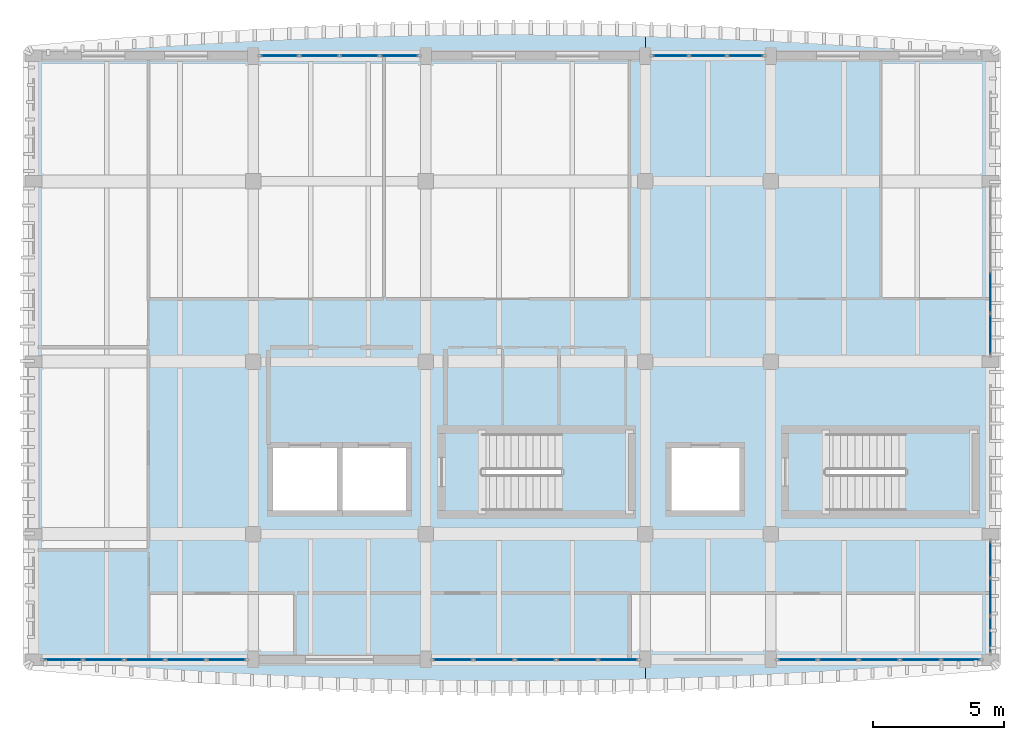
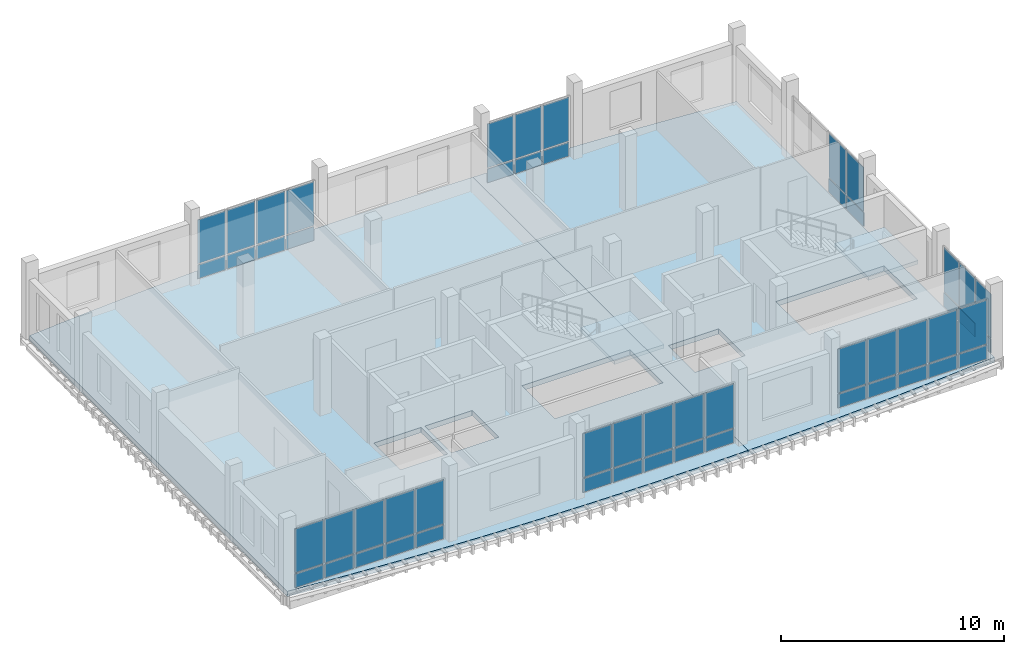
# One storey, part 6 of 16: 54 plates, 4 slabs, 9 elements without a shape of their own.
"""IFC4 building model written with IfcOpenShell, lengths in metres."""

import ifcopenshell
import ifcopenshell.guid

model = None  # the IFC model being written
_history = None  # IfcOwnerHistory: only IFC2X3 demands one
_inside = {}  # id of a spatial element -> (the spatial element, [elements in it])
_under = {}  # id of a project, library or spatial element -> (it, [spatial elements below it])
_declared = {}  # id of a project -> (the project, [libraries it declares])
_typed = {}  # id of a type object -> (the type object, [elements of that type])
_made_of = {}  # id of a material, layer set ... -> (it, [elements and type objects made of it])


def new_model(schema):
    """Start an empty IFC model of exactly this schema.

    Asked for "IFC4X3", IfcOpenShell would pick the latest addendum, in which some entities
    have other attributes; the version numbers below select the first issue.
    IFC2X3 requires an IfcOwnerHistory on every rooted entity: one is made here for all.
    """
    global model, _history
    if schema == "IFC4X3":
        model = ifcopenshell.file(schema_version=(4, 3, 0, 0))
    else:
        model = ifcopenshell.file(schema=schema)
    _inside.clear()
    _under.clear()
    _declared.clear()
    _typed.clear()
    _made_of.clear()
    _history = None
    if model.schema == "IFC2X3":
        org = make("IfcOrganization", Name="unknown")
        user = make(
            "IfcPersonAndOrganization",
            ThePerson=make("IfcPerson", FamilyName="unknown"),
            TheOrganization=org,
        )
        app = make(
            "IfcApplication",
            ApplicationDeveloper=org,
            Version="unknown",
            ApplicationFullName="unknown",
            ApplicationIdentifier="unknown",
        )
        _history = make(
            "IfcOwnerHistory",
            OwningUser=user,
            OwningApplication=app,
            ChangeAction="ADDED",
            CreationDate=0,
        )
    return model


def make(cls, **values):
    """One entity of the class cls with the attributes given. An attribute that is None is left unset."""
    return model.create_entity(
        cls, **{name: value for name, value in values.items() if value is not None}
    )


def rooted(cls, **values):
    """An entity with a GlobalId (a new one), such as an element, a storey or a relation."""
    return make(cls, GlobalId=ifcopenshell.guid.new(), OwnerHistory=_history, **values)


def si_unit(unit_type, name, prefix=None):
    """IfcSIUnit, for example si_unit("LENGTHUNIT", "METRE", prefix="MILLI")."""
    return make("IfcSIUnit", UnitType=unit_type, Prefix=prefix, Name=name)


def assignment(units):
    """IfcUnitAssignment: the units of a project."""
    return None if units is None else make("IfcUnitAssignment", Units=units)


def point(xyz):
    """IfcCartesianPoint."""
    return None if xyz is None else make("IfcCartesianPoint", Coordinates=xyz)


def direction(xyz):
    """IfcDirection."""
    return None if xyz is None else make("IfcDirection", DirectionRatios=xyz)


def frame(location, z_axis=None, x_axis=None):
    """IfcAxis2Placement3D, a coordinate frame: its origin and axes. An axis left out is left unset."""
    return make(
        "IfcAxis2Placement3D",
        Location=point(location),
        Axis=direction(z_axis),
        RefDirection=direction(x_axis),
    )


def frame_2d(location, x_axis=None):
    """IfcAxis2Placement2D, a coordinate frame in the plane: its origin and x axis."""
    return make(
        "IfcAxis2Placement2D", Location=point(location), RefDirection=direction(x_axis)
    )


def origin():
    """The frame at (0, 0, 0) with its axes left unset."""
    return frame((0.0, 0.0, 0.0))


def origin_2d():
    """The frame at (0, 0) in the plane with its x axis left unset."""
    return frame_2d((0.0, 0.0))


def place(relative_to, where):
    """IfcLocalPlacement: puts the frame where relative to a parent placement (None: the world)."""
    return make(
        "IfcLocalPlacement", PlacementRelTo=relative_to, RelativePlacement=where
    )


def context(
    kind, dimensions, precision=None, world=None, true_north=None, identifier=None
):
    """IfcGeometricRepresentationContext, for example the 3D "Model" context."""
    return make(
        "IfcGeometricRepresentationContext",
        ContextIdentifier=identifier,
        ContextType=kind,
        CoordinateSpaceDimension=dimensions,
        Precision=precision,
        WorldCoordinateSystem=world,
        TrueNorth=true_north,
    )


def subcontext(parent, identifier, kind, view, scale=None):
    """IfcGeometricRepresentationSubContext, for example "Body" below "Model"."""
    return make(
        "IfcGeometricRepresentationSubContext",
        ContextIdentifier=identifier,
        ContextType=kind,
        ParentContext=parent,
        TargetScale=scale,
        TargetView=view,
    )


def project(units=None, contexts=None):
    """IfcProject with its units and contexts."""
    return rooted(
        "IfcProject",
        Name="project",
        RepresentationContexts=contexts,
        UnitsInContext=assignment(units),
    )


def spatial(cls, under=None, at=None, **own):
    """A site, building, storey or space (cls), placed at a placement, below another one or the project."""
    s = rooted(cls, ObjectPlacement=at, **own)
    if under is not None:
        _under.setdefault(under.id(), (under, []))[1].append(s)
    return s


def polyline(points):
    """IfcPolyline through the points."""
    return make("IfcPolyline", Points=[point(p) for p in points])


def profile(cls, at=None, kind="AREA", **sizes):
    """A parametric profile (cls). Its sizes go by their IFC names, for example OverallWidth=200.0."""
    return make(cls, ProfileType=kind, Position=at, **sizes)


def rectangle(**sizes):
    """IfcRectangleProfileDef."""
    return profile("IfcRectangleProfileDef", **sizes)


def outline(outer, holes=None, kind="AREA"):
    """IfcArbitraryClosedProfileDef: a profile drawn as a closed curve; with holes, ...WithVoids."""
    if holes is None:
        return make("IfcArbitraryClosedProfileDef", ProfileType=kind, OuterCurve=outer)
    return make(
        "IfcArbitraryProfileDefWithVoids",
        ProfileType=kind,
        OuterCurve=outer,
        InnerCurves=holes,
    )


def extrude(swept, where, along, depth):
    """IfcExtrudedAreaSolid: the profile swept, set in the frame where, extruded along a direction by depth."""
    return make(
        "IfcExtrudedAreaSolid",
        SweptArea=swept,
        Position=where,
        ExtrudedDirection=direction(along),
        Depth=depth,
    )


def shape(context_of_items, identifier, shape_type, items):
    """IfcShapeRepresentation: the items that make up one representation, for example the "Body"."""
    return make(
        "IfcShapeRepresentation",
        ContextOfItems=context_of_items,
        RepresentationIdentifier=identifier,
        RepresentationType=shape_type,
        Items=items,
    )


def material(Name=None, Category=None):
    """IfcMaterial."""
    return make("IfcMaterial", Name=Name, Category=Category)


def layer(
    of_material, thickness, ventilated=None, Name=None, Category=None, Priority=None
):
    """IfcMaterialLayer: one layer of a wall or slab, of a material (None: an air gap)."""
    return make(
        "IfcMaterialLayer",
        Material=of_material,
        LayerThickness=thickness,
        IsVentilated=ventilated,
        Name=Name,
        Category=Category,
        Priority=Priority,
    )


def layer_set(layers, Name=None):
    """IfcMaterialLayerSet."""
    return make("IfcMaterialLayerSet", MaterialLayers=layers, LayerSetName=Name)


def made_of(thing, what):
    """Note that an element or type object is made of a material, layer set ...; save() writes the relation."""
    if what is not None:
        _made_of.setdefault(what.id(), (what, []))[1].append(thing)
    return thing


def type_object(cls, material=None, **own):
    """A type object (cls), such as IfcWallType, which elements share."""
    return made_of(rooted(cls, **own), material)


def element(
    cls,
    number,
    at=None,
    inside=None,
    cuts=None,
    type_object=None,
    material=None,
    context=None,
    identifier="Body",
    shape_type=None,
    held_by="IfcProductDefinitionShape",
    body=None,
    shapes=None,
    **own,
):
    """One element of the class cls, such as IfcWall. Its Tag is "e" and its number.

    at: its placement. inside: the storey or other place that contains it. cuts: it is an
    opening in that element (IfcRelVoidsElement). A single representation is given by context,
    identifier, shape_type and body (its items); several are given by shapes. held_by: the class
    of the entity that holds the representations. save() writes the other relations.
    """
    e = rooted(cls, Tag="e%d" % number, ObjectPlacement=at, **own)
    if body is not None:
        shapes = [shape(context, identifier, shape_type, body)]
    if shapes is not None:
        e.Representation = make(held_by, Representations=shapes)
    if inside is not None:
        _inside.setdefault(inside.id(), (inside, []))[1].append(e)
    if cuts is not None:
        rooted(
            "IfcRelVoidsElement", RelatingBuildingElement=cuts, RelatedOpeningElement=e
        )
    if type_object is not None:
        _typed.setdefault(type_object.id(), (type_object, []))[1].append(e)
    return made_of(e, material)


def aggregate(whole, parts):
    """IfcRelAggregates: a whole, such as a stair, and the parts it consists of."""
    return rooted("IfcRelAggregates", RelatingObject=whole, RelatedObjects=parts)


def save(model, path):
    """Write the relations noted so far, then the file.

    IfcRelAggregates (storeys below a building ...), IfcRelContainedInSpatialStructure (elements
    in a storey), IfcRelDefinesByType, IfcRelAssociatesMaterial and IfcRelDeclares: one each for
    every whole, place, type object, material and project.
    """
    for whole, parts in _under.values():
        aggregate(whole, parts)
    for where, things in _inside.values():
        rooted(
            "IfcRelContainedInSpatialStructure",
            RelatedElements=things,
            RelatingStructure=where,
        )
    for kind, things in _typed.values():
        rooted("IfcRelDefinesByType", RelatedObjects=things, RelatingType=kind)
    for what, things in _made_of.values():
        rooted("IfcRelAssociatesMaterial", RelatedObjects=things, RelatingMaterial=what)
    for by, libraries in _declared.values():
        rooted("IfcRelDeclares", RelatingContext=by, RelatedDefinitions=libraries)
    model.write(path)


model = new_model("IFC4")

# Units and contexts
model_context = context("Model", 3, precision=1e-05, world=origin(), true_north=direction((0.0, 1.0)))
body_context = subcontext(model_context, "Body", "Model", "MODEL_VIEW")
ifc_project = project(units=[si_unit("LENGTHUNIT", "METRE"), si_unit("AREAUNIT", "SQUARE_METRE"), si_unit("VOLUMEUNIT", "CUBIC_METRE"), si_unit("PLANEANGLEUNIT", "RADIAN"), si_unit("MASSUNIT", "GRAM", prefix="KILO")], contexts=[model_context])

# Site, building, storey
site_placement = place(None, origin())
site = spatial("IfcSite", under=ifc_project, at=site_placement, CompositionType="ELEMENT")
building_placement = place(site_placement, origin())
building = spatial("IfcBuilding", under=site, at=building_placement, Name="Dornvale Research Institute", CompositionType="ELEMENT")
storey_placement = place(building_placement, frame((0.0, 0.0, 38.39990234375)))
storey = spatial("IfcBuildingStorey", under=building, at=storey_placement, Name="L08", CompositionType="ELEMENT", Elevation=38.39990234375)

# Curtain wall, plates
ifc_material_1 = material(Name="Low-E Argon Double Insulating Glazing Unit", Category="glass")
curtain_wall_type_1 = type_object("IfcCurtainWallType", Name="UnitisedCurtainWall_V5_6150x3350", PredefinedType="USERDEFINED", material=ifc_material_1)
curtain_wall_1_placement = place(storey_placement, origin())
curtain_wall_1 = element("IfcCurtainWall", 1, at=curtain_wall_1_placement, inside=storey, type_object=curtain_wall_type_1, Name="L08 V5 unitised curtain wall CW-34 #188", ObjectType="UNITISED CURTAIN WALL", PredefinedType="USERDEFINED")
ifc_material_2 = material(Name="Insulated Ceramic-Frit Spandrel Glass Panel", Category="glass")
ifc_layer_1 = layer(ifc_material_2, 0.0419921875)
ifc_layer_set_1 = layer_set([ifc_layer_1], Name="Insulated Ceramic-Frit Spandrel Glass Panel")
plate_type_1 = type_object("IfcPlateType", Name="CurtainPanel_Spandrel_42", PredefinedType="CURTAIN_PANEL", material=ifc_layer_set_1)
plate_1_placement = place(storey_placement, frame((14.2099609375, 122.10009765625, 0.065185546875), z_axis=(0.0, 0.0, 1.0), x_axis=(1.0, 0.0, 0.0)))
plate_1 = element("IfcPlate", 2, at=plate_1_placement, type_object=plate_type_1, Name="CW-34 panel 1.1", PredefinedType="CURTAIN_PANEL", context=body_context, shape_type="SweptSolid", body=[
    extrude(rectangle(XDim=1.43994140625, YDim=0.0419921875, at=origin_2d()), origin(), (0.0, 0.0, 1.0), 0.75244140625),
])
plate_2_placement = place(storey_placement, frame((15.731201171875, 122.10009765625, 0.065185546875), z_axis=(0.0, 0.0, 1.0), x_axis=(1.0, 0.0, 0.0)))
plate_2 = element("IfcPlate", 3, at=plate_2_placement, type_object=plate_type_1, Name="CW-34 panel 2.1", PredefinedType="CURTAIN_PANEL", context=body_context, shape_type="SweptSolid", body=[
    extrude(rectangle(XDim=1.472412109375, YDim=0.0419921875, at=origin_2d()), origin(), (0.0, 0.0, 1.0), 0.75244140625),
])
plate_3_placement = place(storey_placement, frame((17.268798828125, 122.10009765625, 0.065185546875), z_axis=(0.0, 0.0, 1.0), x_axis=(1.0, 0.0, 0.0)))
plate_3 = element("IfcPlate", 4, at=plate_3_placement, type_object=plate_type_1, Name="CW-34 panel 3.1", PredefinedType="CURTAIN_PANEL", context=body_context, shape_type="SweptSolid", body=[
    extrude(rectangle(XDim=1.472412109375, YDim=0.0419921875, at=origin_2d()), origin(), (0.0, 0.0, 1.0), 0.75244140625),
])
plate_4_placement = place(storey_placement, frame((18.7900390625, 122.10009765625, 0.065185546875), z_axis=(0.0, 0.0, 1.0), x_axis=(1.0, 0.0, 0.0)))
plate_4 = element("IfcPlate", 5, at=plate_4_placement, type_object=plate_type_1, Name="CW-34 panel 4.1", PredefinedType="CURTAIN_PANEL", context=body_context, shape_type="SweptSolid", body=[
    extrude(rectangle(XDim=1.43994140625, YDim=0.0419921875, at=origin_2d()), origin(), (0.0, 0.0, 1.0), 0.75244140625),
])

ifc_material_3 = material(Name="Low-E Argon Double Insulating Glazing Unit", Category="glass")
curtain_wall_type_2 = type_object("IfcCurtainWallType", Name="UnitisedCurtainWall_V5_4350x3350", PredefinedType="USERDEFINED", material=ifc_material_3)
curtain_wall_2_placement = place(storey_placement, origin())
curtain_wall_2 = element("IfcCurtainWall", 6, at=curtain_wall_2_placement, inside=storey, type_object=curtain_wall_type_2, Name="L08 V5 unitised curtain wall CW-35 #189", ObjectType="UNITISED CURTAIN WALL", PredefinedType="USERDEFINED")
plate_5_placement = place(storey_placement, frame((29.166259765625, 122.10009765625, 0.065185546875), z_axis=(0.0, 0.0, 1.0), x_axis=(1.0, 0.0, 0.0)))
plate_5 = element("IfcPlate", 7, at=plate_5_placement, type_object=plate_type_1, Name="CW-35 panel 1.1", PredefinedType="CURTAIN_PANEL", context=body_context, shape_type="SweptSolid", body=[
    extrude(rectangle(XDim=1.3525390625, YDim=0.0419921875, at=origin_2d()), origin(), (0.0, 0.0, 1.0), 0.75244140625),
])
plate_6_placement = place(storey_placement, frame((30.60009765625, 122.10009765625, 0.065185546875), z_axis=(0.0, 0.0, 1.0), x_axis=(1.0, 0.0, 0.0)))
plate_6 = element("IfcPlate", 8, at=plate_6_placement, type_object=plate_type_1, Name="CW-35 panel 2.1", PredefinedType="CURTAIN_PANEL", context=body_context, shape_type="SweptSolid", body=[
    extrude(rectangle(XDim=1.385009765625, YDim=0.0419921875, at=origin_2d()), origin(), (0.0, 0.0, 1.0), 0.75244140625),
])
plate_7_placement = place(storey_placement, frame((32.03369140625, 122.10009765625, 0.065185546875), z_axis=(0.0, 0.0, 1.0), x_axis=(1.0, 0.0, 0.0)))
plate_7 = element("IfcPlate", 9, at=plate_7_placement, type_object=plate_type_1, Name="CW-35 panel 3.1", PredefinedType="CURTAIN_PANEL", context=body_context, shape_type="SweptSolid", body=[
    extrude(rectangle(XDim=1.3525390625, YDim=0.0419921875, at=origin_2d()), origin(), (0.0, 0.0, 1.0), 0.75244140625),
])

ifc_material_4 = material(Name="Low-E Argon Double Insulating Glazing Unit", Category="glass")
curtain_wall_type_3 = type_object("IfcCurtainWallType", Name="UnitisedCurtainWall_V5_6450x3350", PredefinedType="USERDEFINED", material=ifc_material_4)
curtain_wall_3_placement = place(storey_placement, origin())
curtain_wall_3 = element("IfcCurtainWall", 10, at=curtain_wall_3_placement, inside=storey, type_object=curtain_wall_type_3, Name="L08 V5 unitised curtain wall CW-36 #190", ObjectType="UNITISED CURTAIN WALL", PredefinedType="USERDEFINED")
plate_8_placement = place(storey_placement, frame((41.39990234375, 113.043701171875, 0.065185546875), z_axis=(0.0, 0.0, 1.0), x_axis=(0.0, -1.0, 0.0)))
plate_8 = element("IfcPlate", 11, at=plate_8_placement, type_object=plate_type_1, Name="CW-36 panel 3.1", PredefinedType="CURTAIN_PANEL", context=body_context, shape_type="SweptSolid", body=[
    extrude(rectangle(XDim=1.547607421875, YDim=0.0419921875, at=origin_2d()), origin(), (0.0, 0.0, 1.0), 0.75244140625),
])
plate_9_placement = place(storey_placement, frame((41.39990234375, 111.447509765625, 0.065185546875), z_axis=(0.0, 0.0, 1.0), x_axis=(0.0, -1.0, 0.0)))
plate_9 = element("IfcPlate", 12, at=plate_9_placement, type_object=plate_type_1, Name="CW-36 panel 4.1", PredefinedType="CURTAIN_PANEL", context=body_context, shape_type="SweptSolid", body=[
    extrude(rectangle(XDim=1.514892578125, YDim=0.0419921875, at=origin_2d()), origin(), (0.0, 0.0, 1.0), 0.75244140625),
])

curtain_wall_4_placement = place(storey_placement, origin())
curtain_wall_4 = element("IfcCurtainWall", 13, at=curtain_wall_4_placement, inside=storey, type_object=curtain_wall_type_2, Name="L08 V5 unitised curtain wall CW-35 #191", ObjectType="UNITISED CURTAIN WALL", PredefinedType="USERDEFINED")
plate_10_placement = place(storey_placement, frame((41.39990234375, 102.833740234375, 0.065185546875), z_axis=(0.0, 0.0, 1.0), x_axis=(0.0, -1.0, 0.0)))
plate_10 = element("IfcPlate", 14, at=plate_10_placement, type_object=plate_type_1, Name="CW-35 panel 1.1", PredefinedType="CURTAIN_PANEL", context=body_context, shape_type="SweptSolid", body=[
    extrude(rectangle(XDim=1.3525390625, YDim=0.0419921875, at=origin_2d()), origin(), (0.0, 0.0, 1.0), 0.75244140625),
])
plate_11_placement = place(storey_placement, frame((41.39990234375, 101.39990234375, 0.065185546875), z_axis=(0.0, 0.0, 1.0), x_axis=(0.0, -1.0, 0.0)))
plate_11 = element("IfcPlate", 15, at=plate_11_placement, type_object=plate_type_1, Name="CW-35 panel 2.1", PredefinedType="CURTAIN_PANEL", context=body_context, shape_type="SweptSolid", body=[
    extrude(rectangle(XDim=1.385009765625, YDim=0.0419921875, at=origin_2d()), origin(), (0.0, 0.0, 1.0), 0.75244140625),
])
plate_12_placement = place(storey_placement, frame((41.39990234375, 99.96630859375, 0.065185546875), z_axis=(0.0, 0.0, 1.0), x_axis=(0.0, -1.0, 0.0)))
plate_12 = element("IfcPlate", 16, at=plate_12_placement, type_object=plate_type_1, Name="CW-35 panel 3.1", PredefinedType="CURTAIN_PANEL", context=body_context, shape_type="SweptSolid", body=[
    extrude(rectangle(XDim=1.3525390625, YDim=0.0419921875, at=origin_2d()), origin(), (0.0, 0.0, 1.0), 0.75244140625),
])

ifc_material_5 = material(Name="Low-E Argon Double Insulating Glazing Unit", Category="glass")
curtain_wall_type_4 = type_object("IfcCurtainWallType", Name="UnitisedCurtainWall_V5_7850x3350", PredefinedType="USERDEFINED", material=ifc_material_5)
curtain_wall_5_placement = place(storey_placement, origin())
curtain_wall_5 = element("IfcCurtainWall", 17, at=curtain_wall_5_placement, inside=storey, type_object=curtain_wall_type_4, Name="L08 V5 unitised curtain wall CW-37 #192", ObjectType="UNITISED CURTAIN WALL", PredefinedType="USERDEFINED")
plate_13_placement = place(storey_placement, frame((40.273681640625, 99.0, 0.065185546875), z_axis=(0.0, 0.0, 1.0), x_axis=(-1.0, 0.0, 0.0)))
plate_13 = element("IfcPlate", 18, at=plate_13_placement, type_object=plate_type_1, Name="CW-37 panel 1.1", PredefinedType="CURTAIN_PANEL", context=body_context, shape_type="SweptSolid", body=[
    extrude(rectangle(XDim=1.472412109375, YDim=0.0419921875, at=origin_2d()), origin(), (0.0, 0.0, 1.0), 0.75244140625),
])
plate_14_placement = place(storey_placement, frame((38.719970703125, 99.0, 0.065185546875), z_axis=(0.0, 0.0, 1.0), x_axis=(-1.0, 0.0, 0.0)))
plate_14 = element("IfcPlate", 19, at=plate_14_placement, type_object=plate_type_1, Name="CW-37 panel 2.1", PredefinedType="CURTAIN_PANEL", context=body_context, shape_type="SweptSolid", body=[
    extrude(rectangle(XDim=1.5048828125, YDim=0.0419921875, at=origin_2d()), origin(), (0.0, 0.0, 1.0), 0.75244140625),
])
plate_15_placement = place(storey_placement, frame((37.14990234375, 99.0, 0.065185546875), z_axis=(0.0, 0.0, 1.0), x_axis=(-1.0, 0.0, 0.0)))
plate_15 = element("IfcPlate", 20, at=plate_15_placement, type_object=plate_type_1, Name="CW-37 panel 3.1", PredefinedType="CURTAIN_PANEL", context=body_context, shape_type="SweptSolid", body=[
    extrude(rectangle(XDim=1.5048828125, YDim=0.0419921875, at=origin_2d()), origin(), (0.0, 0.0, 1.0), 0.75244140625),
])
plate_16_placement = place(storey_placement, frame((35.580078125, 99.0, 0.065185546875), z_axis=(0.0, 0.0, 1.0), x_axis=(-1.0, 0.0, 0.0)))
plate_16 = element("IfcPlate", 21, at=plate_16_placement, type_object=plate_type_1, Name="CW-37 panel 4.1", PredefinedType="CURTAIN_PANEL", context=body_context, shape_type="SweptSolid", body=[
    extrude(rectangle(XDim=1.5048828125, YDim=0.0419921875, at=origin_2d()), origin(), (0.0, 0.0, 1.0), 0.75244140625),
])
plate_17_placement = place(storey_placement, frame((34.0263671875, 99.0, 0.065185546875), z_axis=(0.0, 0.0, 1.0), x_axis=(-1.0, 0.0, 0.0)))
plate_17 = element("IfcPlate", 22, at=plate_17_placement, type_object=plate_type_1, Name="CW-37 panel 5.1", PredefinedType="CURTAIN_PANEL", context=body_context, shape_type="SweptSolid", body=[
    extrude(rectangle(XDim=1.472412109375, YDim=0.0419921875, at=origin_2d()), origin(), (0.0, 0.0, 1.0), 0.75244140625),
])

ifc_material_6 = material(Name="Low-E Argon Double Insulating Glazing Unit", Category="glass")
curtain_wall_type_5 = type_object("IfcCurtainWallType", Name="UnitisedCurtainWall_V5_7950x3350", PredefinedType="USERDEFINED", material=ifc_material_6)
curtain_wall_6_placement = place(storey_placement, origin())
curtain_wall_6 = element("IfcCurtainWall", 23, at=curtain_wall_6_placement, inside=storey, type_object=curtain_wall_type_5, Name="L08 V5 unitised curtain wall CW-38 #193", ObjectType="UNITISED CURTAIN WALL", PredefinedType="USERDEFINED")
plate_18_placement = place(storey_placement, frame((27.163818359375, 99.0, 0.065185546875), z_axis=(0.0, 0.0, 1.0), x_axis=(-1.0, 0.0, 0.0)))
plate_18 = element("IfcPlate", 24, at=plate_18_placement, type_object=plate_type_1, Name="CW-38 panel 1.1", PredefinedType="CURTAIN_PANEL", context=body_context, shape_type="SweptSolid", body=[
    extrude(rectangle(XDim=1.492431640625, YDim=0.0419921875, at=origin_2d()), origin(), (0.0, 0.0, 1.0), 0.75244140625),
])
plate_19_placement = place(storey_placement, frame((25.590087890625, 99.0, 0.065185546875), z_axis=(0.0, 0.0, 1.0), x_axis=(-1.0, 0.0, 0.0)))
plate_19 = element("IfcPlate", 25, at=plate_19_placement, type_object=plate_type_1, Name="CW-38 panel 2.1", PredefinedType="CURTAIN_PANEL", context=body_context, shape_type="SweptSolid", body=[
    extrude(rectangle(XDim=1.52490234375, YDim=0.0419921875, at=origin_2d()), origin(), (0.0, 0.0, 1.0), 0.75244140625),
])
plate_20_placement = place(storey_placement, frame((24.0, 99.0, 0.065185546875), z_axis=(0.0, 0.0, 1.0), x_axis=(-1.0, 0.0, 0.0)))
plate_20 = element("IfcPlate", 26, at=plate_20_placement, type_object=plate_type_1, Name="CW-38 panel 3.1", PredefinedType="CURTAIN_PANEL", context=body_context, shape_type="SweptSolid", body=[
    extrude(rectangle(XDim=1.52490234375, YDim=0.0419921875, at=origin_2d()), origin(), (0.0, 0.0, 1.0), 0.75244140625),
])
plate_21_placement = place(storey_placement, frame((22.409912109375, 99.0, 0.065185546875), z_axis=(0.0, 0.0, 1.0), x_axis=(-1.0, 0.0, 0.0)))
plate_21 = element("IfcPlate", 27, at=plate_21_placement, type_object=plate_type_1, Name="CW-38 panel 4.1", PredefinedType="CURTAIN_PANEL", context=body_context, shape_type="SweptSolid", body=[
    extrude(rectangle(XDim=1.52490234375, YDim=0.0419921875, at=origin_2d()), origin(), (0.0, 0.0, 1.0), 0.75244140625),
])
plate_22_placement = place(storey_placement, frame((20.836181640625, 99.0, 0.065185546875), z_axis=(0.0, 0.0, 1.0), x_axis=(-1.0, 0.0, 0.0)))
plate_22 = element("IfcPlate", 28, at=plate_22_placement, type_object=plate_type_1, Name="CW-38 panel 5.1", PredefinedType="CURTAIN_PANEL", context=body_context, shape_type="SweptSolid", body=[
    extrude(rectangle(XDim=1.492431640625, YDim=0.0419921875, at=origin_2d()), origin(), (0.0, 0.0, 1.0), 0.75244140625),
])

curtain_wall_7_placement = place(storey_placement, origin())
curtain_wall_7 = element("IfcCurtainWall", 29, at=curtain_wall_7_placement, inside=storey, type_object=curtain_wall_type_4, Name="L08 V5 unitised curtain wall CW-37 #194", ObjectType="UNITISED CURTAIN WALL", PredefinedType="USERDEFINED")
plate_23_placement = place(storey_placement, frame((12.173828125, 99.0, 0.065185546875), z_axis=(0.0, 0.0, 1.0), x_axis=(-1.0, 0.0, 0.0)))
plate_23 = element("IfcPlate", 30, at=plate_23_placement, type_object=plate_type_1, Name="CW-37 panel 1.1", PredefinedType="CURTAIN_PANEL", context=body_context, shape_type="SweptSolid", body=[
    extrude(rectangle(XDim=1.472412109375, YDim=0.0419921875, at=origin_2d()), origin(), (0.0, 0.0, 1.0), 0.75244140625),
])
plate_24_placement = place(storey_placement, frame((10.6201171875, 99.0, 0.065185546875), z_axis=(0.0, 0.0, 1.0), x_axis=(-1.0, 0.0, 0.0)))
plate_24 = element("IfcPlate", 31, at=plate_24_placement, type_object=plate_type_1, Name="CW-37 panel 2.1", PredefinedType="CURTAIN_PANEL", context=body_context, shape_type="SweptSolid", body=[
    extrude(rectangle(XDim=1.5048828125, YDim=0.0419921875, at=origin_2d()), origin(), (0.0, 0.0, 1.0), 0.75244140625),
])
plate_25_placement = place(storey_placement, frame((9.050048828125, 99.0, 0.065185546875), z_axis=(0.0, 0.0, 1.0), x_axis=(-1.0, 0.0, 0.0)))
plate_25 = element("IfcPlate", 32, at=plate_25_placement, type_object=plate_type_1, Name="CW-37 panel 3.1", PredefinedType="CURTAIN_PANEL", context=body_context, shape_type="SweptSolid", body=[
    extrude(rectangle(XDim=1.5048828125, YDim=0.0419921875, at=origin_2d()), origin(), (0.0, 0.0, 1.0), 0.75244140625),
])
plate_26_placement = place(storey_placement, frame((7.47998046875, 99.0, 0.065185546875), z_axis=(0.0, 0.0, 1.0), x_axis=(-1.0, 0.0, 0.0)))
plate_26 = element("IfcPlate", 33, at=plate_26_placement, type_object=plate_type_1, Name="CW-37 panel 4.1", PredefinedType="CURTAIN_PANEL", context=body_context, shape_type="SweptSolid", body=[
    extrude(rectangle(XDim=1.5048828125, YDim=0.0419921875, at=origin_2d()), origin(), (0.0, 0.0, 1.0), 0.75244140625),
])
plate_27_placement = place(storey_placement, frame((5.92626953125, 99.0, 0.065185546875), z_axis=(0.0, 0.0, 1.0), x_axis=(-1.0, 0.0, 0.0)))
plate_27 = element("IfcPlate", 34, at=plate_27_placement, type_object=plate_type_1, Name="CW-37 panel 5.1", PredefinedType="CURTAIN_PANEL", context=body_context, shape_type="SweptSolid", body=[
    extrude(rectangle(XDim=1.472412109375, YDim=0.0419921875, at=origin_2d()), origin(), (0.0, 0.0, 1.0), 0.75244140625),
])

# Plate
ifc_material_7 = material(Name="Low-E Argon Double Insulating Glazing Unit", Category="glass")
ifc_layer_2 = layer(ifc_material_7, 0.028076171875)
ifc_layer_set_2 = layer_set([ifc_layer_2], Name="Low-E Argon Double Insulating Glazing Unit")
plate_type_2 = type_object("IfcPlateType", Name="CurtainPanel_Vision_28", PredefinedType="CURTAIN_PANEL", material=ifc_layer_set_2)
plate_28_placement = place(storey_placement, frame((14.2099609375, 122.10009765625, 0.88232421875), z_axis=(0.0, 0.0, 1.0), x_axis=(1.0, 0.0, 0.0)))
plate_28 = element("IfcPlate", 35, at=plate_28_placement, type_object=plate_type_2, Name="CW-34 panel 1.2", PredefinedType="CURTAIN_PANEL", context=body_context, shape_type="SweptSolid", body=[
    extrude(rectangle(XDim=1.43994140625, YDim=0.028076171875, at=origin_2d()), origin(), (0.0, 0.0, 1.0), 2.402587890625),
])

plate_29_placement = place(storey_placement, frame((15.731201171875, 122.10009765625, 0.88232421875), z_axis=(0.0, 0.0, 1.0), x_axis=(1.0, 0.0, 0.0)))
plate_29 = element("IfcPlate", 36, at=plate_29_placement, type_object=plate_type_2, Name="CW-34 panel 2.2", PredefinedType="CURTAIN_PANEL", context=body_context, shape_type="SweptSolid", body=[
    extrude(rectangle(XDim=1.472412109375, YDim=0.028076171875, at=origin_2d()), origin(), (0.0, 0.0, 1.0), 2.402587890625),
])

plate_30_placement = place(storey_placement, frame((17.268798828125, 122.10009765625, 0.88232421875), z_axis=(0.0, 0.0, 1.0), x_axis=(1.0, 0.0, 0.0)))
plate_30 = element("IfcPlate", 37, at=plate_30_placement, type_object=plate_type_2, Name="CW-34 panel 3.2", PredefinedType="CURTAIN_PANEL", context=body_context, shape_type="SweptSolid", body=[
    extrude(rectangle(XDim=1.472412109375, YDim=0.028076171875, at=origin_2d()), origin(), (0.0, 0.0, 1.0), 2.402587890625),
])

plate_31_placement = place(storey_placement, frame((18.7900390625, 122.10009765625, 0.88232421875), z_axis=(0.0, 0.0, 1.0), x_axis=(1.0, 0.0, 0.0)))
plate_31 = element("IfcPlate", 38, at=plate_31_placement, type_object=plate_type_2, Name="CW-34 panel 4.2", PredefinedType="CURTAIN_PANEL", context=body_context, shape_type="SweptSolid", body=[
    extrude(rectangle(XDim=1.43994140625, YDim=0.028076171875, at=origin_2d()), origin(), (0.0, 0.0, 1.0), 2.402587890625),
])

aggregate(curtain_wall_1, [plate_1, plate_28, plate_2, plate_29, plate_3, plate_30, plate_4, plate_31])

plate_32_placement = place(storey_placement, frame((29.166259765625, 122.10009765625, 0.88232421875), z_axis=(0.0, 0.0, 1.0), x_axis=(1.0, 0.0, 0.0)))
plate_32 = element("IfcPlate", 39, at=plate_32_placement, type_object=plate_type_2, Name="CW-35 panel 1.2", PredefinedType="CURTAIN_PANEL", context=body_context, shape_type="SweptSolid", body=[
    extrude(rectangle(XDim=1.3525390625, YDim=0.028076171875, at=origin_2d()), origin(), (0.0, 0.0, 1.0), 2.402587890625),
])

plate_33_placement = place(storey_placement, frame((30.60009765625, 122.10009765625, 0.88232421875), z_axis=(0.0, 0.0, 1.0), x_axis=(1.0, 0.0, 0.0)))
plate_33 = element("IfcPlate", 40, at=plate_33_placement, type_object=plate_type_2, Name="CW-35 panel 2.2", PredefinedType="CURTAIN_PANEL", context=body_context, shape_type="SweptSolid", body=[
    extrude(rectangle(XDim=1.385009765625, YDim=0.028076171875, at=origin_2d()), origin(), (0.0, 0.0, 1.0), 2.402587890625),
])

plate_34_placement = place(storey_placement, frame((32.03369140625, 122.10009765625, 0.88232421875), z_axis=(0.0, 0.0, 1.0), x_axis=(1.0, 0.0, 0.0)))
plate_34 = element("IfcPlate", 41, at=plate_34_placement, type_object=plate_type_2, Name="CW-35 panel 3.2", PredefinedType="CURTAIN_PANEL", context=body_context, shape_type="SweptSolid", body=[
    extrude(rectangle(XDim=1.3525390625, YDim=0.028076171875, at=origin_2d()), origin(), (0.0, 0.0, 1.0), 2.402587890625),
])

aggregate(curtain_wall_2, [plate_5, plate_32, plate_6, plate_33, plate_7, plate_34])

plate_35_placement = place(storey_placement, frame((41.39990234375, 113.043701171875, 0.88232421875), z_axis=(0.0, 0.0, 1.0), x_axis=(0.0, -1.0, 0.0)))
plate_35 = element("IfcPlate", 42, at=plate_35_placement, type_object=plate_type_2, Name="CW-36 panel 3.2", PredefinedType="CURTAIN_PANEL", context=body_context, shape_type="SweptSolid", body=[
    extrude(rectangle(XDim=1.547607421875, YDim=0.028076171875, at=origin_2d()), origin(), (0.0, 0.0, 1.0), 2.402587890625),
])

plate_36_placement = place(storey_placement, frame((41.39990234375, 111.447509765625, 0.88232421875), z_axis=(0.0, 0.0, 1.0), x_axis=(0.0, -1.0, 0.0)))
plate_36 = element("IfcPlate", 43, at=plate_36_placement, type_object=plate_type_2, Name="CW-36 panel 4.2", PredefinedType="CURTAIN_PANEL", context=body_context, shape_type="SweptSolid", body=[
    extrude(rectangle(XDim=1.514892578125, YDim=0.028076171875, at=origin_2d()), origin(), (0.0, 0.0, 1.0), 2.402587890625),
])

aggregate(curtain_wall_3, [plate_8, plate_35, plate_9, plate_36])

plate_37_placement = place(storey_placement, frame((41.39990234375, 102.833740234375, 0.88232421875), z_axis=(0.0, 0.0, 1.0), x_axis=(0.0, -1.0, 0.0)))
plate_37 = element("IfcPlate", 44, at=plate_37_placement, type_object=plate_type_2, Name="CW-35 panel 1.2", PredefinedType="CURTAIN_PANEL", context=body_context, shape_type="SweptSolid", body=[
    extrude(rectangle(XDim=1.3525390625, YDim=0.028076171875, at=origin_2d()), origin(), (0.0, 0.0, 1.0), 2.402587890625),
])

plate_38_placement = place(storey_placement, frame((41.39990234375, 101.39990234375, 0.88232421875), z_axis=(0.0, 0.0, 1.0), x_axis=(0.0, -1.0, 0.0)))
plate_38 = element("IfcPlate", 45, at=plate_38_placement, type_object=plate_type_2, Name="CW-35 panel 2.2", PredefinedType="CURTAIN_PANEL", context=body_context, shape_type="SweptSolid", body=[
    extrude(rectangle(XDim=1.385009765625, YDim=0.028076171875, at=origin_2d()), origin(), (0.0, 0.0, 1.0), 2.402587890625),
])

plate_39_placement = place(storey_placement, frame((41.39990234375, 99.96630859375, 0.88232421875), z_axis=(0.0, 0.0, 1.0), x_axis=(0.0, -1.0, 0.0)))
plate_39 = element("IfcPlate", 46, at=plate_39_placement, type_object=plate_type_2, Name="CW-35 panel 3.2", PredefinedType="CURTAIN_PANEL", context=body_context, shape_type="SweptSolid", body=[
    extrude(rectangle(XDim=1.3525390625, YDim=0.028076171875, at=origin_2d()), origin(), (0.0, 0.0, 1.0), 2.402587890625),
])

aggregate(curtain_wall_4, [plate_10, plate_37, plate_11, plate_38, plate_12, plate_39])

plate_40_placement = place(storey_placement, frame((40.273681640625, 99.0, 0.88232421875), z_axis=(0.0, 0.0, 1.0), x_axis=(-1.0, 0.0, 0.0)))
plate_40 = element("IfcPlate", 47, at=plate_40_placement, type_object=plate_type_2, Name="CW-37 panel 1.2", PredefinedType="CURTAIN_PANEL", context=body_context, shape_type="SweptSolid", body=[
    extrude(rectangle(XDim=1.472412109375, YDim=0.028076171875, at=origin_2d()), origin(), (0.0, 0.0, 1.0), 2.402587890625),
])

plate_41_placement = place(storey_placement, frame((38.719970703125, 99.0, 0.88232421875), z_axis=(0.0, 0.0, 1.0), x_axis=(-1.0, 0.0, 0.0)))
plate_41 = element("IfcPlate", 48, at=plate_41_placement, type_object=plate_type_2, Name="CW-37 panel 2.2", PredefinedType="CURTAIN_PANEL", context=body_context, shape_type="SweptSolid", body=[
    extrude(rectangle(XDim=1.5048828125, YDim=0.028076171875, at=origin_2d()), origin(), (0.0, 0.0, 1.0), 2.402587890625),
])

plate_42_placement = place(storey_placement, frame((37.14990234375, 99.0, 0.88232421875), z_axis=(0.0, 0.0, 1.0), x_axis=(-1.0, 0.0, 0.0)))
plate_42 = element("IfcPlate", 49, at=plate_42_placement, type_object=plate_type_2, Name="CW-37 panel 3.2", PredefinedType="CURTAIN_PANEL", context=body_context, shape_type="SweptSolid", body=[
    extrude(rectangle(XDim=1.5048828125, YDim=0.028076171875, at=origin_2d()), origin(), (0.0, 0.0, 1.0), 2.402587890625),
])

plate_43_placement = place(storey_placement, frame((35.580078125, 99.0, 0.88232421875), z_axis=(0.0, 0.0, 1.0), x_axis=(-1.0, 0.0, 0.0)))
plate_43 = element("IfcPlate", 50, at=plate_43_placement, type_object=plate_type_2, Name="CW-37 panel 4.2", PredefinedType="CURTAIN_PANEL", context=body_context, shape_type="SweptSolid", body=[
    extrude(rectangle(XDim=1.5048828125, YDim=0.028076171875, at=origin_2d()), origin(), (0.0, 0.0, 1.0), 2.402587890625),
])

plate_44_placement = place(storey_placement, frame((34.0263671875, 99.0, 0.88232421875), z_axis=(0.0, 0.0, 1.0), x_axis=(-1.0, 0.0, 0.0)))
plate_44 = element("IfcPlate", 51, at=plate_44_placement, type_object=plate_type_2, Name="CW-37 panel 5.2", PredefinedType="CURTAIN_PANEL", context=body_context, shape_type="SweptSolid", body=[
    extrude(rectangle(XDim=1.472412109375, YDim=0.028076171875, at=origin_2d()), origin(), (0.0, 0.0, 1.0), 2.402587890625),
])

aggregate(curtain_wall_5, [plate_13, plate_40, plate_14, plate_41, plate_15, plate_42, plate_16, plate_43, plate_17, plate_44])

plate_45_placement = place(storey_placement, frame((27.163818359375, 99.0, 0.88232421875), z_axis=(0.0, 0.0, 1.0), x_axis=(-1.0, 0.0, 0.0)))
plate_45 = element("IfcPlate", 52, at=plate_45_placement, type_object=plate_type_2, Name="CW-38 panel 1.2", PredefinedType="CURTAIN_PANEL", context=body_context, shape_type="SweptSolid", body=[
    extrude(rectangle(XDim=1.492431640625, YDim=0.028076171875, at=origin_2d()), origin(), (0.0, 0.0, 1.0), 2.402587890625),
])

plate_46_placement = place(storey_placement, frame((25.590087890625, 99.0, 0.88232421875), z_axis=(0.0, 0.0, 1.0), x_axis=(-1.0, 0.0, 0.0)))
plate_46 = element("IfcPlate", 53, at=plate_46_placement, type_object=plate_type_2, Name="CW-38 panel 2.2", PredefinedType="CURTAIN_PANEL", context=body_context, shape_type="SweptSolid", body=[
    extrude(rectangle(XDim=1.52490234375, YDim=0.028076171875, at=origin_2d()), origin(), (0.0, 0.0, 1.0), 2.402587890625),
])

plate_47_placement = place(storey_placement, frame((24.0, 99.0, 0.88232421875), z_axis=(0.0, 0.0, 1.0), x_axis=(-1.0, 0.0, 0.0)))
plate_47 = element("IfcPlate", 54, at=plate_47_placement, type_object=plate_type_2, Name="CW-38 panel 3.2", PredefinedType="CURTAIN_PANEL", context=body_context, shape_type="SweptSolid", body=[
    extrude(rectangle(XDim=1.52490234375, YDim=0.028076171875, at=origin_2d()), origin(), (0.0, 0.0, 1.0), 2.402587890625),
])

plate_48_placement = place(storey_placement, frame((22.409912109375, 99.0, 0.88232421875), z_axis=(0.0, 0.0, 1.0), x_axis=(-1.0, 0.0, 0.0)))
plate_48 = element("IfcPlate", 55, at=plate_48_placement, type_object=plate_type_2, Name="CW-38 panel 4.2", PredefinedType="CURTAIN_PANEL", context=body_context, shape_type="SweptSolid", body=[
    extrude(rectangle(XDim=1.52490234375, YDim=0.028076171875, at=origin_2d()), origin(), (0.0, 0.0, 1.0), 2.402587890625),
])

plate_49_placement = place(storey_placement, frame((20.836181640625, 99.0, 0.88232421875), z_axis=(0.0, 0.0, 1.0), x_axis=(-1.0, 0.0, 0.0)))
plate_49 = element("IfcPlate", 56, at=plate_49_placement, type_object=plate_type_2, Name="CW-38 panel 5.2", PredefinedType="CURTAIN_PANEL", context=body_context, shape_type="SweptSolid", body=[
    extrude(rectangle(XDim=1.492431640625, YDim=0.028076171875, at=origin_2d()), origin(), (0.0, 0.0, 1.0), 2.402587890625),
])

aggregate(curtain_wall_6, [plate_18, plate_45, plate_19, plate_46, plate_20, plate_47, plate_21, plate_48, plate_22, plate_49])

plate_50_placement = place(storey_placement, frame((12.173828125, 99.0, 0.88232421875), z_axis=(0.0, 0.0, 1.0), x_axis=(-1.0, 0.0, 0.0)))
plate_50 = element("IfcPlate", 57, at=plate_50_placement, type_object=plate_type_2, Name="CW-37 panel 1.2", PredefinedType="CURTAIN_PANEL", context=body_context, shape_type="SweptSolid", body=[
    extrude(rectangle(XDim=1.472412109375, YDim=0.028076171875, at=origin_2d()), origin(), (0.0, 0.0, 1.0), 2.402587890625),
])

plate_51_placement = place(storey_placement, frame((10.6201171875, 99.0, 0.88232421875), z_axis=(0.0, 0.0, 1.0), x_axis=(-1.0, 0.0, 0.0)))
plate_51 = element("IfcPlate", 58, at=plate_51_placement, type_object=plate_type_2, Name="CW-37 panel 2.2", PredefinedType="CURTAIN_PANEL", context=body_context, shape_type="SweptSolid", body=[
    extrude(rectangle(XDim=1.5048828125, YDim=0.028076171875, at=origin_2d()), origin(), (0.0, 0.0, 1.0), 2.402587890625),
])

plate_52_placement = place(storey_placement, frame((9.050048828125, 99.0, 0.88232421875), z_axis=(0.0, 0.0, 1.0), x_axis=(-1.0, 0.0, 0.0)))
plate_52 = element("IfcPlate", 59, at=plate_52_placement, type_object=plate_type_2, Name="CW-37 panel 3.2", PredefinedType="CURTAIN_PANEL", context=body_context, shape_type="SweptSolid", body=[
    extrude(rectangle(XDim=1.5048828125, YDim=0.028076171875, at=origin_2d()), origin(), (0.0, 0.0, 1.0), 2.402587890625),
])

plate_53_placement = place(storey_placement, frame((7.47998046875, 99.0, 0.88232421875), z_axis=(0.0, 0.0, 1.0), x_axis=(-1.0, 0.0, 0.0)))
plate_53 = element("IfcPlate", 60, at=plate_53_placement, type_object=plate_type_2, Name="CW-37 panel 4.2", PredefinedType="CURTAIN_PANEL", context=body_context, shape_type="SweptSolid", body=[
    extrude(rectangle(XDim=1.5048828125, YDim=0.028076171875, at=origin_2d()), origin(), (0.0, 0.0, 1.0), 2.402587890625),
])

plate_54_placement = place(storey_placement, frame((5.92626953125, 99.0, 0.88232421875), z_axis=(0.0, 0.0, 1.0), x_axis=(-1.0, 0.0, 0.0)))
plate_54 = element("IfcPlate", 61, at=plate_54_placement, type_object=plate_type_2, Name="CW-37 panel 5.2", PredefinedType="CURTAIN_PANEL", context=body_context, shape_type="SweptSolid", body=[
    extrude(rectangle(XDim=1.472412109375, YDim=0.028076171875, at=origin_2d()), origin(), (0.0, 0.0, 1.0), 2.402587890625),
])

aggregate(curtain_wall_7, [plate_23, plate_50, plate_24, plate_51, plate_25, plate_52, plate_26, plate_53, plate_27, plate_54])

# Slabs
ifc_material_8 = material(Name="Concrete f'c 45 MPa (C35/45)", Category="concrete")
ifc_layer_3 = layer(ifc_material_8, 0.280029296875)
ifc_layer_set_3 = layer_set([ifc_layer_3], Name="Concrete f'c 45 MPa (C35/45)")
slab_type_1 = type_object("IfcSlabType", Name="FloorSlab_Upper_280", PredefinedType="FLOOR", material=ifc_layer_set_3)
slab_1_placement = place(storey_placement, frame((0.0, 0.0, -0.27978515625)))
element("IfcSlab", 62, at=slab_1_placement, inside=storey, type_object=slab_type_1, Name="L08 V5 W floor slab", PredefinedType="FLOOR", context=body_context, shape_type="SweptSolid", body=[
    extrude(outline(polyline([(28.0908203125, 98.213134765625), (26.42724609375, 98.177978515625), (24.763671875, 98.156982421875), (23.10009765625, 98.14990234375), (21.436279296875, 98.156982421875), (19.772705078125, 98.177978515625), (18.109130859375, 98.213134765625), (16.445556640625, 98.262451171875), (14.78173828125, 98.32568359375), (13.1181640625, 98.40283203125), (11.45458984375, 98.494140625), (9.791015625, 98.599609375), (8.127197265625, 98.718994140625), (6.463623046875, 98.8525390625), (4.800048828125, 99.0), (4.800048828125, 122.10009765625), (6.463623046875, 122.24755859375), (8.127197265625, 122.381103515625), (9.791015625, 122.50048828125), (11.45458984375, 122.605712890625), (13.1181640625, 122.697021484375), (14.78173828125, 122.7744140625), (16.445556640625, 122.837646484375), (18.109130859375, 122.88671875), (19.772705078125, 122.921875), (21.436279296875, 122.943115234375), (23.10009765625, 122.949951171875), (24.763671875, 122.943115234375), (26.42724609375, 122.921875), (28.0908203125, 122.88671875), (28.199951171875, 122.883544921875), (28.199951171875, 98.21630859375), (28.0908203125, 98.213134765625)]), holes=[polyline([(21.949951171875, 104.699951171875), (27.550048828125, 104.699951171875), (27.550048828125, 107.659912109375), (21.949951171875, 107.659912109375), (21.949951171875, 104.699951171875)]), polyline([(13.949951171875, 104.699951171875), (16.39990234375, 104.699951171875), (16.39990234375, 107.10009765625), (13.949951171875, 107.10009765625), (13.949951171875, 104.699951171875)]), polyline([(16.60009765625, 104.699951171875), (19.050048828125, 104.699951171875), (19.050048828125, 107.10009765625), (16.60009765625, 107.10009765625), (16.60009765625, 104.699951171875)])]), origin(), (0.0, 0.0, 1.0), 0.27978515625),
])
slab_2_placement = place(storey_placement, frame((0.0, 0.0, -0.27978515625)))
element("IfcSlab", 63, at=slab_2_placement, inside=storey, type_object=slab_type_1, Name="L08 V5 E floor slab", PredefinedType="FLOOR", context=body_context, shape_type="SweptSolid", body=[
    extrude(outline(polyline([(29.75439453125, 122.837646484375), (31.418212890625, 122.7744140625), (33.081787109375, 122.697021484375), (34.74560546875, 122.605712890625), (36.4091796875, 122.50048828125), (38.07275390625, 122.381103515625), (39.736328125, 122.24755859375), (41.39990234375, 122.10009765625), (41.39990234375, 99.0), (39.736328125, 98.8525390625), (38.07275390625, 98.718994140625), (36.4091796875, 98.599609375), (34.74560546875, 98.494140625), (33.081787109375, 98.40283203125), (31.418212890625, 98.32568359375), (29.75439453125, 98.262451171875), (28.199951171875, 98.21630859375), (28.199951171875, 122.883544921875), (29.75439453125, 122.837646484375)]), holes=[polyline([(35.10009765625, 104.699951171875), (40.699951171875, 104.699951171875), (40.699951171875, 107.659912109375), (35.10009765625, 107.659912109375), (35.10009765625, 104.699951171875)]), polyline([(29.199951171875, 104.699951171875), (31.800048828125, 104.699951171875), (31.800048828125, 107.10009765625), (29.199951171875, 107.10009765625), (29.199951171875, 104.699951171875)])]), origin(), (0.0, 0.0, 1.0), 0.27978515625),
])

# Stair, slab
ifc_material_9 = material(Name="Concrete f'c 45 MPa (C35/45)", Category="concrete")
stair_type = type_object("IfcStairType", Name="HalfTurnStair_RC", PredefinedType="HALF_TURN_STAIR", material=ifc_material_9)
stair_1_placement = place(storey_placement, origin())
stair_1 = element("IfcStair", 64, at=stair_1_placement, inside=storey, type_object=stair_type, Name="L08 Exit stair ST-1", PredefinedType="HALF_TURN_STAIR")
ifc_material_10 = material(Name="Concrete f'c 45 MPa (C35/45)", Category="concrete")
ifc_layer_4 = layer(ifc_material_10, 0.199951171875)
ifc_layer_set_4 = layer_set([ifc_layer_4], Name="Concrete f'c 45 MPa (C35/45)")
slab_type_2 = type_object("IfcSlabType", Name="Landing_Stair_200", PredefinedType="LANDING", material=ifc_layer_set_4)
slab_3_placement = place(storey_placement, frame((0.0, 0.0, 1.900146484375)))
slab_3 = element("IfcSlab", 65, at=slab_3_placement, type_object=slab_type_2, Name="ST-1 landing 1", PredefinedType="LANDING", context=body_context, shape_type="SweptSolid", body=[
    extrude(outline(polyline([(25.0, 104.669921875), (25.0, 107.68994140625), (27.580078125, 107.68994140625), (27.580078125, 104.669921875), (25.0, 104.669921875)])), origin(), (0.0, 0.0, 1.0), 0.199951171875),
])
aggregate(stair_1, [slab_3])

stair_2_placement = place(storey_placement, origin())
stair_2 = element("IfcStair", 66, at=stair_2_placement, inside=storey, type_object=stair_type, Name="L08 Exit stair ST-2", PredefinedType="HALF_TURN_STAIR")
slab_4_placement = place(storey_placement, frame((0.0, 0.0, 1.900146484375)))
slab_4 = element("IfcSlab", 67, at=slab_4_placement, type_object=slab_type_2, Name="ST-2 landing 1", PredefinedType="LANDING", context=body_context, shape_type="SweptSolid", body=[
    extrude(outline(polyline([(38.14990234375, 104.669921875), (38.14990234375, 107.68994140625), (40.72998046875, 107.68994140625), (40.72998046875, 104.669921875), (38.14990234375, 104.669921875)])), origin(), (0.0, 0.0, 1.0), 0.199951171875),
])
aggregate(stair_2, [slab_4])

save(model, "model.ifc")
